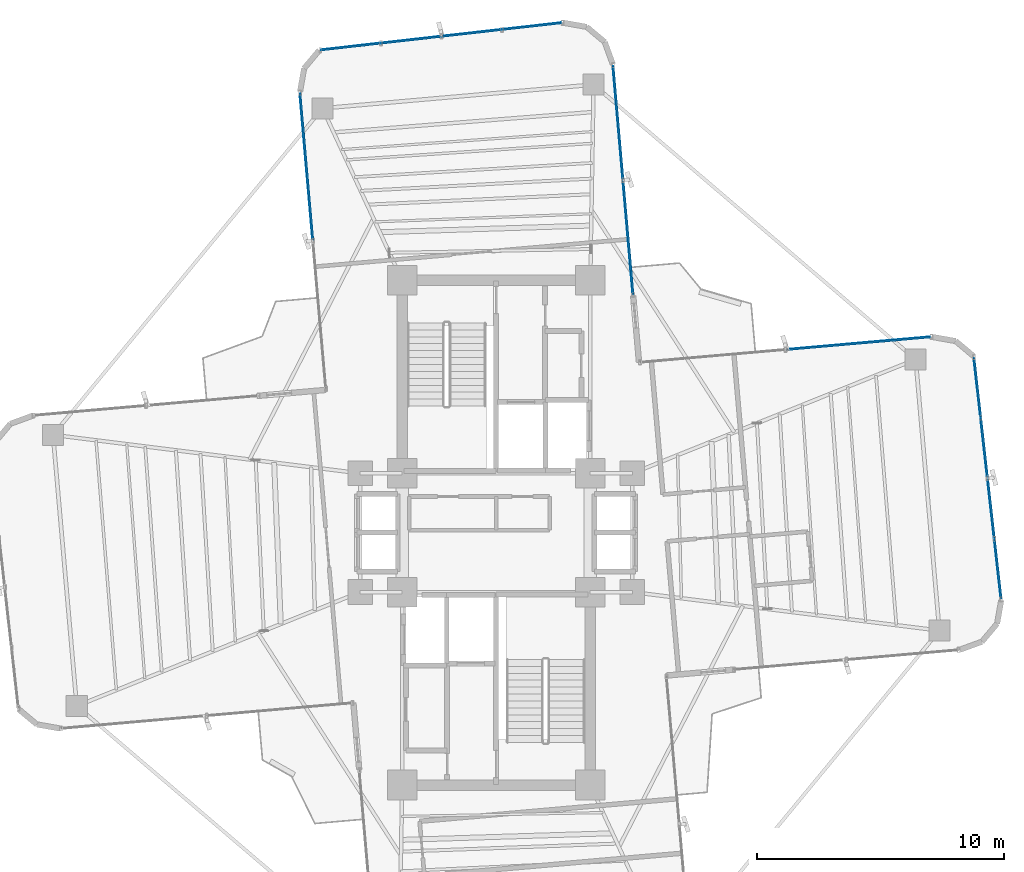
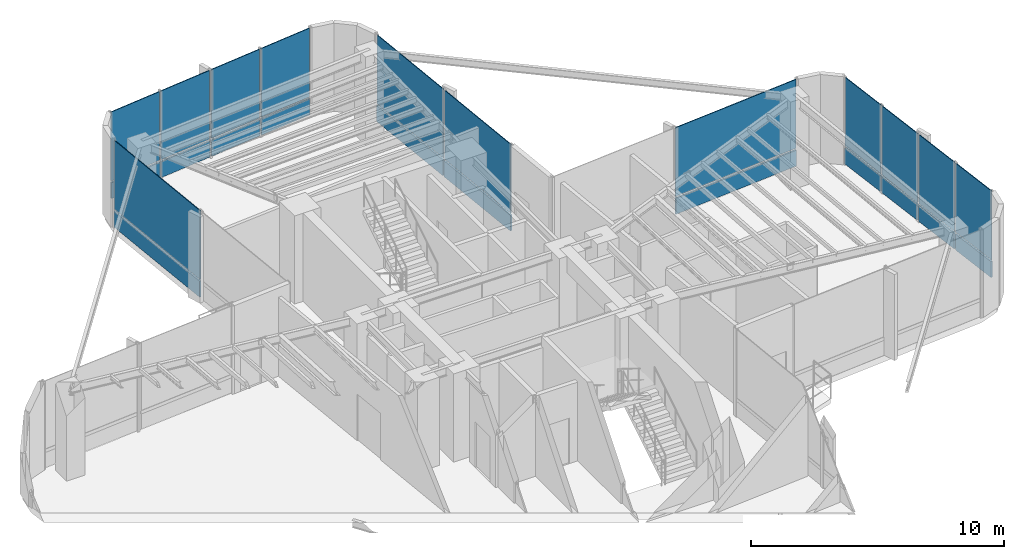
# One storey, part 14 of 19: 24 plates, 5 elements without a shape of their own.
"""IFC4 building model written with IfcOpenShell, lengths in metres."""

from ifc_helpers import new_model, si_unit, direction, frame, origin, origin_2d, place, context, subcontext, project, spatial, rectangle, extrude, source, transform, mapped, material, layer, layer_set, type_object, element, aggregate, save


model = new_model("IFC4")

# Units and contexts
model_context = context("Model", 3, precision=1e-05, world=origin(), true_north=direction((0.0, 1.0)))
body_context = subcontext(model_context, "Body", "Model", "MODEL_VIEW")
ifc_project = project(units=[si_unit("LENGTHUNIT", "METRE"), si_unit("AREAUNIT", "SQUARE_METRE"), si_unit("VOLUMEUNIT", "CUBIC_METRE"), si_unit("PLANEANGLEUNIT", "RADIAN"), si_unit("MASSUNIT", "GRAM", prefix="KILO")], contexts=[model_context])

# Site, building, storey
site_placement = place(None, origin())
site = spatial("IfcSite", under=ifc_project, at=site_placement, CompositionType="ELEMENT")
building_placement = place(site_placement, origin())
building = spatial("IfcBuilding", under=site, at=building_placement, Name="Sahyath Konkavel Grand Hotel", CompositionType="ELEMENT")
storey_placement = place(building_placement, frame((0.0, 0.0, 170.699951171875)))
storey = spatial("IfcBuildingStorey", under=building, at=storey_placement, Name="L47", CompositionType="ELEMENT", Elevation=170.699951171875)

# Curtain wall, plates
ifc_material_1 = material(Name="Anodised Bronze Aluminium & Low-E Glazing", Category="aluminium")
curtain_wall_type = type_object("IfcCurtainWallType", Name="CW-SKYLOBBY", PredefinedType="NOTDEFINED", material=ifc_material_1)
curtain_wall_1_placement = place(storey_placement, origin())
curtain_wall_1 = element("IfcCurtainWall", 1, at=curtain_wall_1_placement, inside=storey, type_object=curtain_wall_type, Name="L47 Unitised Curtain Wall F4", PredefinedType="NOTDEFINED")
ifc_material_2 = material(Name="Warm Buff Sandstone Cladding", Category="masonry")
ifc_layer_1 = layer(ifc_material_2, 0.074951171875)
ifc_layer_set_1 = layer_set([ifc_layer_1], Name="Warm Buff Sandstone Cladding")
plate_type_1 = type_object("IfcPlateType", Name="PNL-SPANDREL-STONE", PredefinedType="SHEET", material=ifc_layer_set_1)
shared_shape_1 = source(origin(), body_context, "Body", "SweptSolid", [
    extrude(rectangle(XDim=2.382080078125, YDim=0.074951171875, at=origin_2d()), origin(), (0.0, 0.0, 1.0), 0.77001953125),
])
plate_1_placement = place(storey_placement, frame((20.2734375, -1.468017578125, 0.0400390625), z_axis=(0.0, 0.0, 1.0), x_axis=(-0.111989252568, 0.993709417943, 0.0)))
plate_1 = element("IfcPlate", 2, at=plate_1_placement, type_object=plate_type_1, Name="L47 Sandstone Relief Spandrel Panel F4-0", PredefinedType="SHEET", context=body_context, shape_type="MappedRepresentation", body=[
    mapped(shared_shape_1, transform((0.0, 0.0, 0.0), scale=1.0)),
])
plate_2_placement = place(storey_placement, frame((19.99755859375, 0.978515625, 0.0400390625), z_axis=(0.0, 0.0, 1.0), x_axis=(-0.111989252568, 0.993709417943, 0.0)))
plate_2 = element("IfcPlate", 3, at=plate_2_placement, type_object=plate_type_1, Name="L47 Sandstone Relief Spandrel Panel F4-1", PredefinedType="SHEET", context=body_context, shape_type="MappedRepresentation", body=[
    mapped(shared_shape_1, transform((0.0, 0.0, 0.0), scale=1.0)),
])
plate_3_placement = place(storey_placement, frame((19.7216796875, 3.425048828125, 0.0400390625), z_axis=(0.0, 0.0, 1.0), x_axis=(-0.111989252568, 0.993709417943, 0.0)))
plate_3 = element("IfcPlate", 4, at=plate_3_placement, type_object=plate_type_1, Name="L47 Sandstone Relief Spandrel Panel F4-2", PredefinedType="SHEET", context=body_context, shape_type="MappedRepresentation", body=[
    mapped(shared_shape_1, transform((0.0, 0.0, 0.0), scale=1.0)),
])
plate_4_placement = place(storey_placement, frame((19.446044921875, 5.87158203125, 0.0400390625), z_axis=(0.0, 0.0, 1.0), x_axis=(-0.111989252568, 0.993709417943, 0.0)))
plate_4 = element("IfcPlate", 5, at=plate_4_placement, type_object=plate_type_1, Name="L47 Sandstone Relief Spandrel Panel F4-3", PredefinedType="SHEET", context=body_context, shape_type="MappedRepresentation", body=[
    mapped(shared_shape_1, transform((0.0, 0.0, 0.0), scale=1.0)),
])

curtain_wall_2_placement = place(storey_placement, origin())
curtain_wall_2 = element("IfcCurtainWall", 6, at=curtain_wall_2_placement, inside=storey, type_object=curtain_wall_type, Name="L47 Unitised Curtain Wall F12", PredefinedType="NOTDEFINED")
plate_5_placement = place(storey_placement, frame((1.45068359375, 20.47265625, 0.0400390625), z_axis=(0.0, 0.0, 1.0), x_axis=(-0.993707463211, -0.112006596052, 0.0)))
plate_5 = element("IfcPlate", 7, at=plate_5_placement, type_object=plate_type_1, Name="L47 Sandstone Relief Spandrel Panel F12-0", PredefinedType="SHEET", context=body_context, shape_type="MappedRepresentation", body=[
    mapped(shared_shape_1, transform((0.0, 0.0, 0.0), scale=1.0)),
])
plate_6_placement = place(storey_placement, frame((-0.995849609375, 20.197021484375, 0.0400390625), z_axis=(0.0, 0.0, 1.0), x_axis=(-0.993707463211, -0.112006596052, 0.0)))
plate_6 = element("IfcPlate", 8, at=plate_6_placement, type_object=plate_type_1, Name="L47 Sandstone Relief Spandrel Panel F12-1", PredefinedType="SHEET", context=body_context, shape_type="MappedRepresentation", body=[
    mapped(shared_shape_1, transform((0.0, 0.0, 0.0), scale=1.0)),
])
plate_7_placement = place(storey_placement, frame((-3.4423828125, 19.921142578125, 0.0400390625), z_axis=(0.0, 0.0, 1.0), x_axis=(-0.993707463211, -0.112006596052, 0.0)))
plate_7 = element("IfcPlate", 9, at=plate_7_placement, type_object=plate_type_1, Name="L47 Sandstone Relief Spandrel Panel F12-2", PredefinedType="SHEET", context=body_context, shape_type="MappedRepresentation", body=[
    mapped(shared_shape_1, transform((0.0, 0.0, 0.0), scale=1.0)),
])
plate_8_placement = place(storey_placement, frame((-5.888916015625, 19.6455078125, 0.0400390625), z_axis=(0.0, 0.0, 1.0), x_axis=(-0.993707463211, -0.112006596052, 0.0)))
plate_8 = element("IfcPlate", 10, at=plate_8_placement, type_object=plate_type_1, Name="L47 Sandstone Relief Spandrel Panel F12-3", PredefinedType="SHEET", context=body_context, shape_type="MappedRepresentation", body=[
    mapped(shared_shape_1, transform((0.0, 0.0, 0.0), scale=1.0)),
])

# Plate
ifc_material_3 = material(Name="Low-E Solar Control Double Glazing", Category="glass")
ifc_layer_2 = layer(ifc_material_3, 0.035888671875)
ifc_layer_set_2 = layer_set([ifc_layer_2], Name="Low-E Solar Control Double Glazing")
plate_type_2 = type_object("IfcPlateType", Name="PNL-VISION-LOWE", PredefinedType="CURTAIN_PANEL", material=ifc_layer_set_2)
shared_shape_2 = source(origin(), body_context, "Body", "SweptSolid", [
    extrude(rectangle(XDim=2.382080078125, YDim=0.035888671875, at=origin_2d()), origin(), (0.0, 0.0, 1.0), 3.330078125),
])
plate_9_placement = place(storey_placement, frame((20.2734375, -1.468017578125, 0.889892578125), z_axis=(0.0, 0.0, 1.0), x_axis=(-0.111989252568, 0.993709417943, 0.0)))
plate_9 = element("IfcPlate", 11, at=plate_9_placement, type_object=plate_type_2, Name="L47 Low-E Vision Glazing Panel F4-0", PredefinedType="CURTAIN_PANEL", context=body_context, shape_type="MappedRepresentation", body=[
    mapped(shared_shape_2, transform((0.0, 0.0, 0.0), scale=1.0)),
])

plate_10_placement = place(storey_placement, frame((19.99755859375, 0.978515625, 0.889892578125), z_axis=(0.0, 0.0, 1.0), x_axis=(-0.111989252568, 0.993709417943, 0.0)))
plate_10 = element("IfcPlate", 12, at=plate_10_placement, type_object=plate_type_2, Name="L47 Low-E Vision Glazing Panel F4-1", PredefinedType="CURTAIN_PANEL", context=body_context, shape_type="MappedRepresentation", body=[
    mapped(shared_shape_2, transform((0.0, 0.0, 0.0), scale=1.0)),
])

plate_11_placement = place(storey_placement, frame((19.7216796875, 3.425048828125, 0.889892578125), z_axis=(0.0, 0.0, 1.0), x_axis=(-0.111989252568, 0.993709417943, 0.0)))
plate_11 = element("IfcPlate", 13, at=plate_11_placement, type_object=plate_type_2, Name="L47 Low-E Vision Glazing Panel F4-2", PredefinedType="CURTAIN_PANEL", context=body_context, shape_type="MappedRepresentation", body=[
    mapped(shared_shape_2, transform((0.0, 0.0, 0.0), scale=1.0)),
])

plate_12_placement = place(storey_placement, frame((19.446044921875, 5.87158203125, 0.889892578125), z_axis=(0.0, 0.0, 1.0), x_axis=(-0.111989252568, 0.993709417943, 0.0)))
plate_12 = element("IfcPlate", 14, at=plate_12_placement, type_object=plate_type_2, Name="L47 Low-E Vision Glazing Panel F4-3", PredefinedType="CURTAIN_PANEL", context=body_context, shape_type="MappedRepresentation", body=[
    mapped(shared_shape_2, transform((0.0, 0.0, 0.0), scale=1.0)),
])

aggregate(curtain_wall_1, [plate_1, plate_9, plate_2, plate_10, plate_3, plate_11, plate_4, plate_12])

plate_13_placement = place(storey_placement, frame((1.45068359375, 20.47265625, 0.889892578125), z_axis=(0.0, 0.0, 1.0), x_axis=(-0.993707463211, -0.112006596052, 0.0)))
plate_13 = element("IfcPlate", 15, at=plate_13_placement, type_object=plate_type_2, Name="L47 Low-E Vision Glazing Panel F12-0", PredefinedType="CURTAIN_PANEL", context=body_context, shape_type="MappedRepresentation", body=[
    mapped(shared_shape_2, transform((0.0, 0.0, 0.0), scale=1.0)),
])

plate_14_placement = place(storey_placement, frame((-0.995849609375, 20.197021484375, 0.889892578125), z_axis=(0.0, 0.0, 1.0), x_axis=(-0.993707463211, -0.112006596052, 0.0)))
plate_14 = element("IfcPlate", 16, at=plate_14_placement, type_object=plate_type_2, Name="L47 Low-E Vision Glazing Panel F12-1", PredefinedType="CURTAIN_PANEL", context=body_context, shape_type="MappedRepresentation", body=[
    mapped(shared_shape_2, transform((0.0, 0.0, 0.0), scale=1.0)),
])

plate_15_placement = place(storey_placement, frame((-3.4423828125, 19.921142578125, 0.889892578125), z_axis=(0.0, 0.0, 1.0), x_axis=(-0.993707463211, -0.112006596052, 0.0)))
plate_15 = element("IfcPlate", 17, at=plate_15_placement, type_object=plate_type_2, Name="L47 Low-E Vision Glazing Panel F12-2", PredefinedType="CURTAIN_PANEL", context=body_context, shape_type="MappedRepresentation", body=[
    mapped(shared_shape_2, transform((0.0, 0.0, 0.0), scale=1.0)),
])

plate_16_placement = place(storey_placement, frame((-5.888916015625, 19.6455078125, 0.889892578125), z_axis=(0.0, 0.0, 1.0), x_axis=(-0.993707463211, -0.112006596052, 0.0)))
plate_16 = element("IfcPlate", 18, at=plate_16_placement, type_object=plate_type_2, Name="L47 Low-E Vision Glazing Panel F12-3", PredefinedType="CURTAIN_PANEL", context=body_context, shape_type="MappedRepresentation", body=[
    mapped(shared_shape_2, transform((0.0, 0.0, 0.0), scale=1.0)),
])

aggregate(curtain_wall_2, [plate_5, plate_13, plate_6, plate_14, plate_7, plate_15, plate_8, plate_16])

# Curtain wall, plates
curtain_wall_3_placement = place(storey_placement, origin())
curtain_wall_3 = element("IfcCurtainWall", 19, at=curtain_wall_3_placement, inside=storey, type_object=curtain_wall_type, Name="L47 Unitised Curtain Wall F7", PredefinedType="NOTDEFINED")
shared_shape_3 = source(origin(), body_context, "Body", "SweptSolid", [
    extrude(rectangle(XDim=5.830078125, YDim=0.074951171875, at=origin_2d()), origin(), (0.0, 0.0, 1.0), 0.77001953125),
])
plate_17_placement = place(storey_placement, frame((14.6435546875, 7.655517578125, 0.0400390625), z_axis=(0.0, 0.0, 1.0), x_axis=(-0.996194698092, -0.087155742748, 0.0)))
plate_17 = element("IfcPlate", 20, at=plate_17_placement, type_object=plate_type_1, Name="L47 Sandstone Relief Spandrel Panel F7-0", PredefinedType="SHEET", context=body_context, shape_type="MappedRepresentation", body=[
    mapped(shared_shape_3, transform((0.0, 0.0, 0.0), scale=1.0)),
])
shared_shape_4 = source(origin(), body_context, "Body", "SweptSolid", [
    extrude(rectangle(XDim=5.830078125, YDim=0.035888671875, at=origin_2d()), origin(), (0.0, 0.0, 1.0), 3.330078125),
])
plate_18_placement = place(storey_placement, frame((14.6435546875, 7.655517578125, 0.889892578125), z_axis=(0.0, 0.0, 1.0), x_axis=(-0.996194698092, -0.087155742748, 0.0)))
plate_18 = element("IfcPlate", 21, at=plate_18_placement, type_object=plate_type_2, Name="L47 Low-E Vision Glazing Panel F7-0", PredefinedType="CURTAIN_PANEL", context=body_context, shape_type="MappedRepresentation", body=[
    mapped(shared_shape_4, transform((0.0, 0.0, 0.0), scale=1.0)),
])
aggregate(curtain_wall_3, [plate_17, plate_18])

curtain_wall_4_placement = place(storey_placement, origin())
curtain_wall_4 = element("IfcCurtainWall", 22, at=curtain_wall_4_placement, inside=storey, type_object=curtain_wall_type, Name="L47 Unitised Curtain Wall F8", PredefinedType="NOTDEFINED")
shared_shape_5 = source(origin(), body_context, "Body", "SweptSolid", [
    extrude(rectangle(XDim=4.580078125, YDim=0.074951171875, at=origin_2d()), origin(), (0.0, 0.0, 1.0), 0.77001953125),
])
plate_19_placement = place(storey_placement, frame((5.33056640625, 11.929931640625, 0.0400390625), z_axis=(0.0, 0.0, 1.0), x_axis=(-0.087155742748, 0.996194698092, 0.0)))
plate_19 = element("IfcPlate", 23, at=plate_19_placement, type_object=plate_type_1, Name="L47 Sandstone Relief Spandrel Panel F8-0", PredefinedType="SHEET", context=body_context, shape_type="MappedRepresentation", body=[
    mapped(shared_shape_5, transform((0.0, 0.0, 0.0), scale=1.0)),
])
plate_20_placement = place(storey_placement, frame((4.92431640625, 16.572265625, 0.0400390625), z_axis=(0.0, 0.0, 1.0), x_axis=(-0.087155742748, 0.996194698092, 0.0)))
plate_20 = element("IfcPlate", 24, at=plate_20_placement, type_object=plate_type_1, Name="L47 Sandstone Relief Spandrel Panel F8-1", PredefinedType="SHEET", context=body_context, shape_type="MappedRepresentation", body=[
    mapped(shared_shape_5, transform((0.0, 0.0, 0.0), scale=1.0)),
])
shared_shape_6 = source(origin(), body_context, "Body", "SweptSolid", [
    extrude(rectangle(XDim=4.580078125, YDim=0.035888671875, at=origin_2d()), origin(), (0.0, 0.0, 1.0), 3.330078125),
])
plate_21_placement = place(storey_placement, frame((5.33056640625, 11.929931640625, 0.889892578125), z_axis=(0.0, 0.0, 1.0), x_axis=(-0.087155742748, 0.996194698092, 0.0)))
plate_21 = element("IfcPlate", 25, at=plate_21_placement, type_object=plate_type_2, Name="L47 Low-E Vision Glazing Panel F8-0", PredefinedType="CURTAIN_PANEL", context=body_context, shape_type="MappedRepresentation", body=[
    mapped(shared_shape_6, transform((0.0, 0.0, 0.0), scale=1.0)),
])
plate_22_placement = place(storey_placement, frame((4.92431640625, 16.572265625, 0.889892578125), z_axis=(0.0, 0.0, 1.0), x_axis=(-0.087155742748, 0.996194698092, 0.0)))
plate_22 = element("IfcPlate", 26, at=plate_22_placement, type_object=plate_type_2, Name="L47 Low-E Vision Glazing Panel F8-1", PredefinedType="CURTAIN_PANEL", context=body_context, shape_type="MappedRepresentation", body=[
    mapped(shared_shape_6, transform((0.0, 0.0, 0.0), scale=1.0)),
])
aggregate(curtain_wall_4, [plate_19, plate_21, plate_20, plate_22])

curtain_wall_5_placement = place(storey_placement, origin())
curtain_wall_5 = element("IfcCurtainWall", 27, at=curtain_wall_5_placement, inside=storey, type_object=curtain_wall_type, Name="L47 Unitised Curtain Wall F15", PredefinedType="NOTDEFINED")
shared_shape_7 = source(origin(), body_context, "Body", "SweptSolid", [
    extrude(rectangle(XDim=5.929931640625, YDim=0.074951171875, at=origin_2d()), origin(), (0.0, 0.0, 1.0), 0.77001953125),
])
plate_23_placement = place(storey_placement, frame((-7.66845703125, 14.79296875, 0.0400390625), z_axis=(0.0, 0.0, 1.0), x_axis=(0.087155742748, -0.996194698092, 0.0)))
plate_23 = element("IfcPlate", 28, at=plate_23_placement, type_object=plate_type_1, Name="L47 Sandstone Relief Spandrel Panel F15-0", PredefinedType="SHEET", context=body_context, shape_type="MappedRepresentation", body=[
    mapped(shared_shape_7, transform((0.0, 0.0, 0.0), scale=1.0)),
])
shared_shape_8 = source(origin(), body_context, "Body", "SweptSolid", [
    extrude(rectangle(XDim=5.929931640625, YDim=0.035888671875, at=origin_2d()), origin(), (0.0, 0.0, 1.0), 3.330078125),
])
plate_24_placement = place(storey_placement, frame((-7.66845703125, 14.79296875, 0.889892578125), z_axis=(0.0, 0.0, 1.0), x_axis=(0.087155742748, -0.996194698092, 0.0)))
plate_24 = element("IfcPlate", 29, at=plate_24_placement, type_object=plate_type_2, Name="L47 Low-E Vision Glazing Panel F15-0", PredefinedType="CURTAIN_PANEL", context=body_context, shape_type="MappedRepresentation", body=[
    mapped(shared_shape_8, transform((0.0, 0.0, 0.0), scale=1.0)),
])
aggregate(curtain_wall_5, [plate_23, plate_24])

save(model, "model.ifc")
